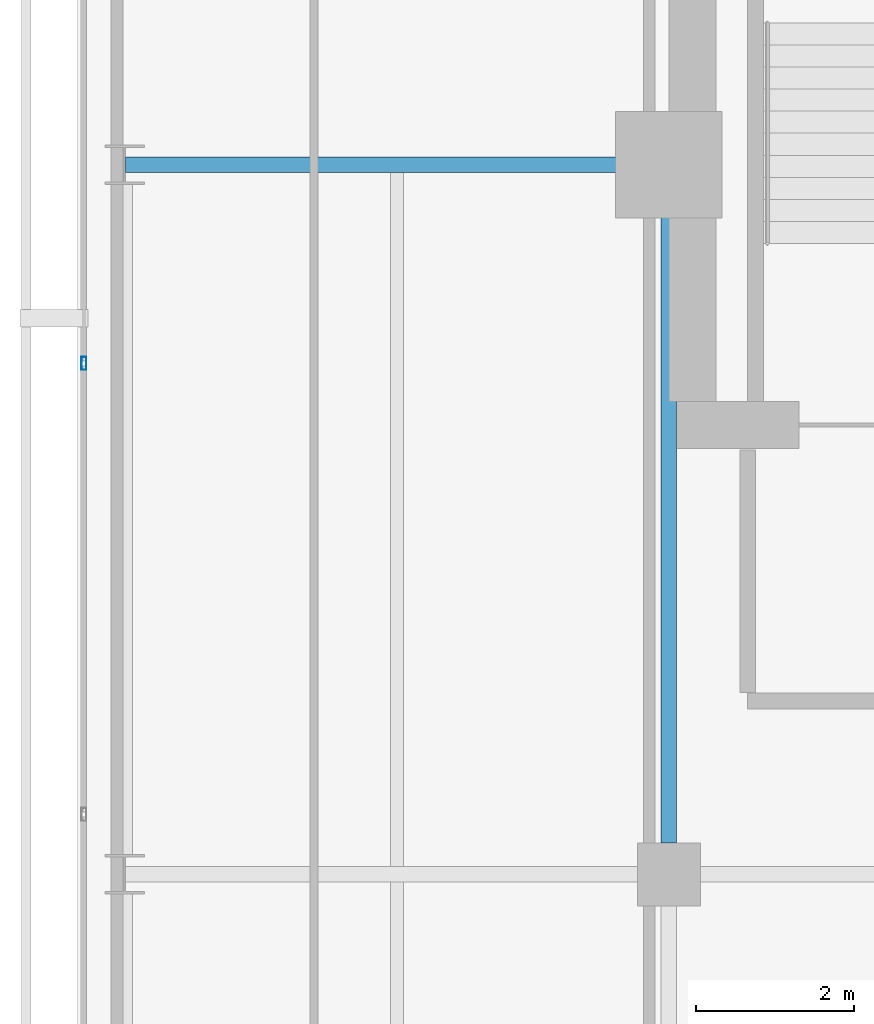
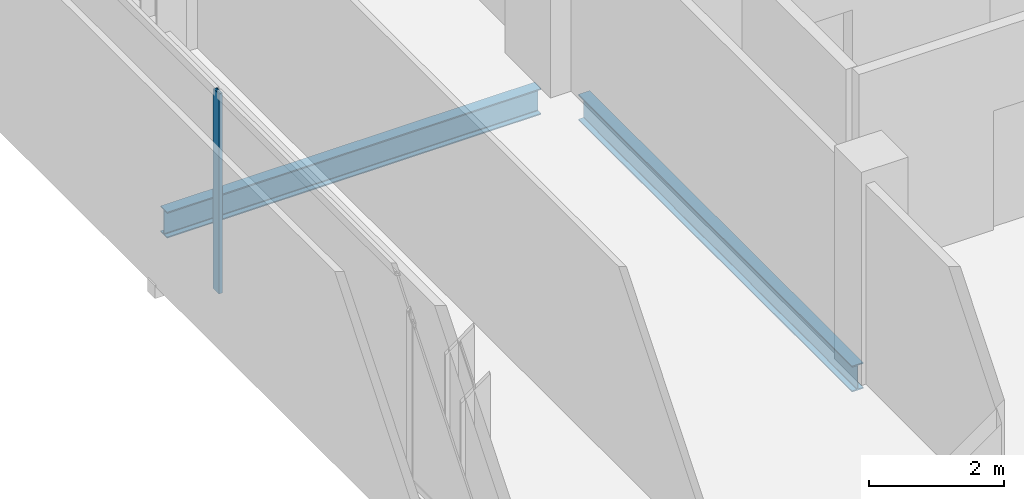
# One storey, part 9 of 23: 2 beams, 1 member, 1 element without a shape of its own.
"""IFC4 building model written with IfcOpenShell, lengths in metres."""

from ifc_helpers import new_model, si_unit, direction, frame, origin, origin_2d, place, context, subcontext, project, spatial, hollow_rectangle, i_section, extrude, material, layer, layer_set, material_profile, profile_set, type_object, element, aggregate, save


model = new_model("IFC4")

# Units and contexts
model_context = context("Model", 3, precision=1e-05, world=origin(), true_north=direction((0.0, 1.0)))
body_context = subcontext(model_context, "Body", "Model", "MODEL_VIEW")
ifc_project = project(units=[si_unit("LENGTHUNIT", "METRE"), si_unit("AREAUNIT", "SQUARE_METRE"), si_unit("VOLUMEUNIT", "CUBIC_METRE"), si_unit("PLANEANGLEUNIT", "RADIAN"), si_unit("MASSUNIT", "GRAM", prefix="KILO")], contexts=[model_context])

# Site, building, storey
site_placement = place(None, origin())
site = spatial("IfcSite", under=ifc_project, at=site_placement, CompositionType="ELEMENT")
building_placement = place(site_placement, origin())
building = spatial("IfcBuilding", under=site, at=building_placement, Name="Maruvema Waterfront Hotel and Observation Tower", CompositionType="ELEMENT")
storey_placement = place(building_placement, frame((0.0, 0.0, 337.39990234375)))
storey = spatial("IfcBuildingStorey", under=building, at=storey_placement, Name="L83", CompositionType="ELEMENT", Elevation=337.39990234375)

# Curtain wall, member
ifc_material_1 = material(Name="Anodised bronze aluminium and solar-control low-E IGU", Category="aluminium")
ifc_layer = layer(ifc_material_1, 0.159912109375, Name="Zone 4 Sky Residence Inner Curtain Wall System CW-05")
ifc_layer_set = layer_set([ifc_layer], Name="Anodised bronze aluminium and solar-control low-E IGU")
curtain_wall_type = type_object("IfcCurtainWallType", Name="Zone 4 Sky Residence Inner Curtain Wall System CW-05", PredefinedType="USERDEFINED", material=ifc_layer_set)
curtain_wall_placement = place(storey_placement, origin())
curtain_wall = element("IfcCurtainWall", 1, at=curtain_wall_placement, inside=storey, type_object=curtain_wall_type, Name="L83 Curtain Wall CW-L83-W", ObjectType="UNITISED CURTAIN WALL", PredefinedType="USERDEFINED")
ifc_material_2 = material(Name="Anodised architectural bronze aluminium", Category="aluminium")
ifc_material_profile_1 = material_profile(ifc_material_2, hollow_rectangle(XDim=0.06494140625, YDim=0.1650390625, WallThickness=0.00390625, at=origin_2d()), Name="ALU-M65x165")
ifc_profile_set_1 = profile_set([ifc_material_profile_1], Name="Anodised architectural bronze aluminium")
member_type = type_object("IfcMemberType", Name="Curtain Wall Primary Mullion ALU-M65x165", PredefinedType="MULLION", material=ifc_profile_set_1)
member_placement = place(storey_placement, frame((17.780029296875, 42.47998046875, 0.0), z_axis=(0.0, 0.0, 1.0), x_axis=(1.0, 0.0, 0.0)))
member = element("IfcMember", 2, at=member_placement, type_object=member_type, Name="CW-05 mullion 2", PredefinedType="MULLION", context=body_context, shape_type="SweptSolid", body=[
    extrude(hollow_rectangle(XDim=0.06494140625, YDim=0.1650390625, WallThickness=0.00390625, at=origin_2d()), origin(), (0.0, 0.0, 1.0), 3.610107421875),
])
aggregate(curtain_wall, [member])

# Beams
ifc_material_3 = material(Name="Steel ASTM A572 Grade 50", Category="steel")
ifc_material_profile_2 = material_profile(ifc_material_3, i_section(OverallWidth=0.194091796875, OverallDepth=0.468994140625, WebThickness=0.0126953125, FlangeThickness=0.0205078125, FilletRadius=0.014892578125, at=origin_2d()), Name="W460x106.0")
ifc_profile_set_2 = profile_set([ifc_material_profile_2], Name="Steel ASTM A572 Grade 50")
beam_type = type_object("IfcBeamType", Name="Primary Floor Girder W460x106.0", PredefinedType="BEAM", material=ifc_profile_set_2)
beam_1_placement = place(storey_placement, frame((18.31103515625, 45.0, -0.474365234375), z_axis=(1.0, 0.0, 0.0), x_axis=(0.0, 1.0, 0.0)))
element("IfcBeam", 3, at=beam_1_placement, inside=storey, type_object=beam_type, Name="L83 Floor Girder EW-15", PredefinedType="BEAM", context=body_context, shape_type="SweptSolid", body=[
    extrude(i_section(OverallWidth=0.194091796875, OverallDepth=0.468994140625, WebThickness=0.0126953125, FlangeThickness=0.0205078125, FilletRadius=0.014892578125, at=origin_2d()), origin(), (0.0, 0.0, 1.0), 6.388916015625),
])
beam_2_placement = place(storey_placement, frame((25.199951171875, 36.39990234375, -0.474365234375), z_axis=(0.0, 1.0, 0.0), x_axis=(-1.0, 0.0, 0.0)))
element("IfcBeam", 4, at=beam_2_placement, inside=storey, type_object=beam_type, Name="L83 Floor Girder NS-06", PredefinedType="BEAM", context=body_context, shape_type="SweptSolid", body=[
    extrude(i_section(OverallWidth=0.194091796875, OverallDepth=0.468994140625, WebThickness=0.0126953125, FlangeThickness=0.0205078125, FilletRadius=0.014892578125, at=origin_2d()), origin(), (0.0, 0.0, 1.0), 8.10009765625),
])

save(model, "model.ifc")
